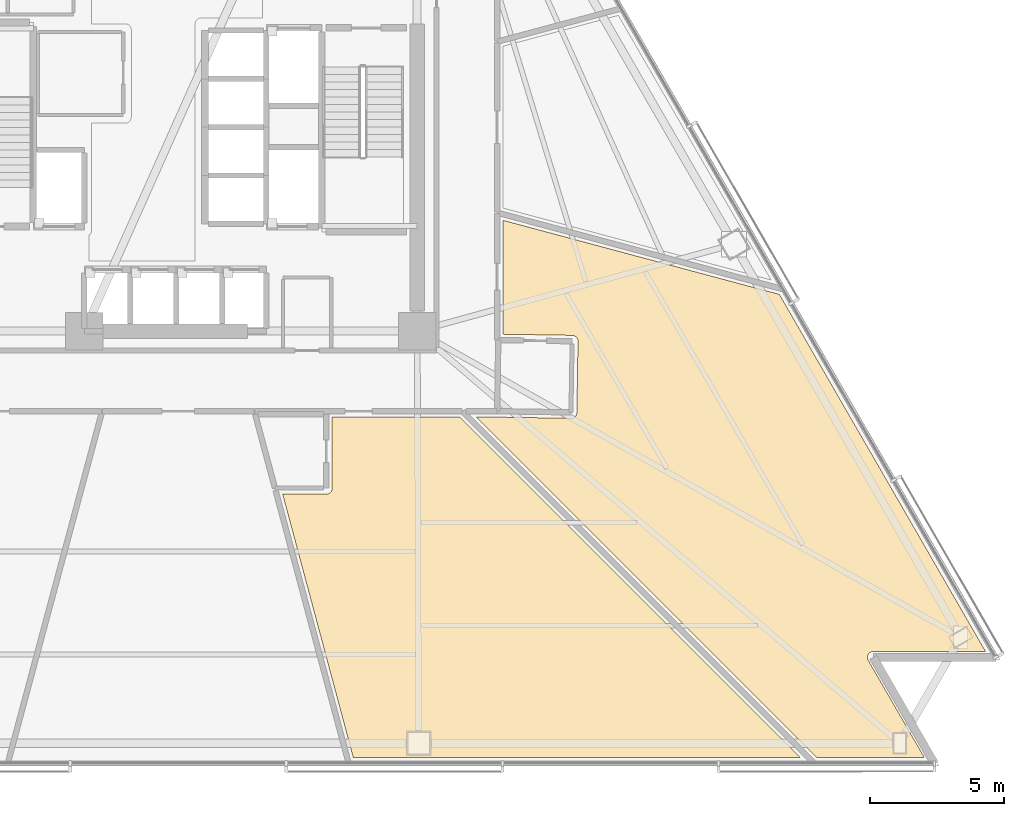
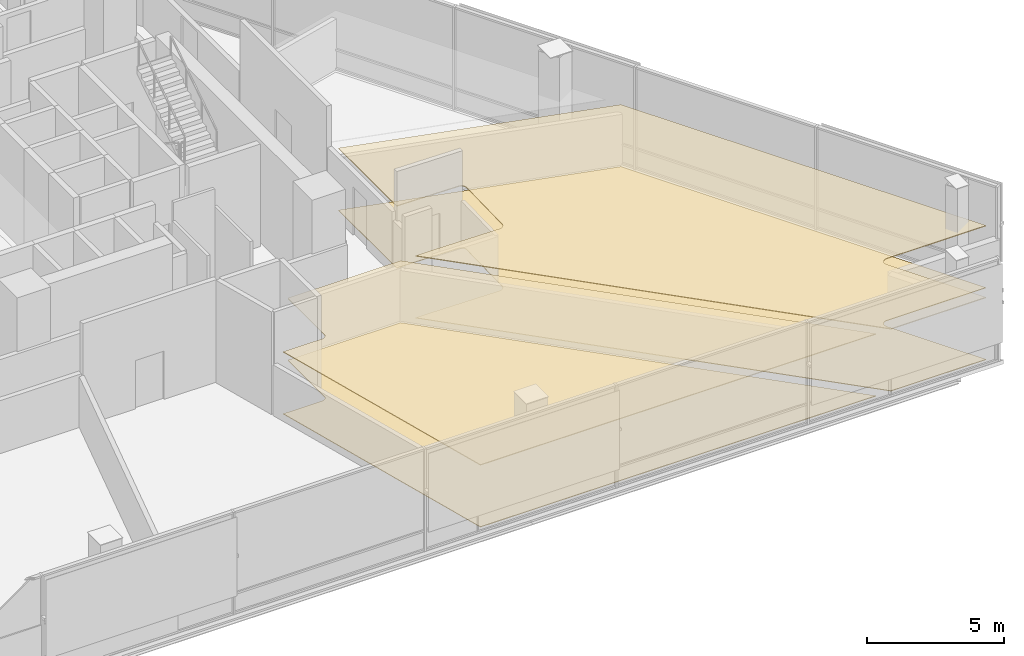
# One storey, part 15 of 17: 4 coverings.
"""IFC4 building model written with IfcOpenShell, lengths in metres."""

from ifc_helpers import new_model, si_unit, direction, frame, origin, place, context, subcontext, project, spatial, polyline, outline, extrude, material, layer, layer_set, type_object, element, save


model = new_model("IFC4")

# Units and contexts
model_context = context("Model", 3, precision=1e-05, world=origin(), true_north=direction((0.0, 1.0)))
body_context = subcontext(model_context, "Body", "Model", "MODEL_VIEW")
ifc_project = project(units=[si_unit("LENGTHUNIT", "METRE"), si_unit("AREAUNIT", "SQUARE_METRE"), si_unit("VOLUMEUNIT", "CUBIC_METRE"), si_unit("PLANEANGLEUNIT", "RADIAN"), si_unit("MASSUNIT", "GRAM", prefix="KILO")], contexts=[model_context])

# Site, building, storey
site_placement = place(None, origin())
site = spatial("IfcSite", under=ifc_project, at=site_placement, CompositionType="ELEMENT")
building_placement = place(site_placement, origin())
building = spatial("IfcBuilding", under=site, at=building_placement, Name="Tharavind Bronze Gate", CompositionType="ELEMENT")
storey_placement = place(building_placement, frame((0.0, 0.0, 52.25)))
storey = spatial("IfcBuildingStorey", under=building, at=storey_placement, Name="L12", CompositionType="ELEMENT", Elevation=52.25)

# Coverings
ifc_material_1 = material(Name="Engineered Oak & Carpet Tile", Category="wood")
ifc_layer_1 = layer(ifc_material_1, 0.02490234375)
ifc_layer_set_1 = layer_set([ifc_layer_1], Name="Engineered Oak & Carpet Tile")
covering_type_1 = type_object("IfcCoveringType", Name="ENGINEERED TIMBER FLOORING", PredefinedType="FLOORING", material=ifc_layer_set_1)
covering_1_placement = place(storey_placement, origin())
element("IfcCovering", 1, at=covering_1_placement, inside=storey, type_object=covering_type_1, Name="L12-RM-10 floor finish", PredefinedType="FLOORING", context=body_context, shape_type="SweptSolid", body=[
    extrude(outline(polyline([(5.737060546875, -13.449951171875), (5.736083984375, -13.4716796875), (5.73291015625, -13.492919921875), (5.7275390625, -13.513916015625), (5.72021484375, -13.5341796875), (5.711181640625, -13.5537109375), (5.699951171875, -13.572265625), (5.68701171875, -13.589599609375), (5.672607421875, -13.605712890625), (5.656494140625, -13.6201171875), (5.639404296875, -13.6328125), (5.620849609375, -13.64404296875), (5.601318359375, -13.6533203125), (5.580810546875, -13.660400390625), (5.56005859375, -13.665771484375), (5.53857421875, -13.6689453125), (5.51708984375, -13.669921875), (3.890625, -13.669921875), (6.519287109375, -23.47998046875), (23.1689453125, -23.47998046875), (10.489013671875, -10.800048828125), (5.737060546875, -10.800048828125), (5.737060546875, -13.449951171875)])), origin(), (0.0, 0.0, 1.0), 0.02490234375),
])
covering_2_placement = place(storey_placement, origin())
element("IfcCovering", 2, at=covering_2_placement, inside=storey, type_object=covering_type_1, Name="L12-RM-11 floor finish", PredefinedType="FLOORING", context=body_context, shape_type="SweptSolid", body=[
    extrude(outline(polyline([(23.791015625, -23.47998046875), (27.794677734375, -23.47998046875), (25.70556640625, -19.861328125), (25.7001953125, -19.851806640625), (25.7001953125, -19.851318359375), (25.691162109375, -19.831298828125), (25.68408203125, -19.810546875), (25.67919921875, -19.7890625), (25.676513671875, -19.767333984375), (25.67578125, -19.745361328125), (25.677490234375, -19.7236328125), (25.681396484375, -19.701904296875), (25.687255859375, -19.680908203125), (25.6953125, -19.660400390625), (25.705322265625, -19.640869140625), (25.71728515625, -19.62255859375), (25.73095703125, -19.60546875), (25.74609375, -19.589599609375), (25.762939453125, -19.57568359375), (25.781005859375, -19.563232421875), (25.80029296875, -19.552734375), (25.820556640625, -19.544189453125), (25.841552734375, -19.53759765625), (25.863037109375, -19.533447265625), (25.885009765625, -19.53125), (25.885498046875, -19.53125), (25.896484375, -19.531005859375), (30.07470703125, -19.531005859375), (22.39453125, -6.228271484375), (12.10009765625, -3.469970703125), (12.10009765625, -7.713134765625), (14.676513671875, -7.755126953125), (14.697998046875, -7.756591796875), (14.71923828125, -7.760009765625), (14.739990234375, -7.765625), (14.76025390625, -7.773193359375), (14.779541015625, -7.78271484375), (14.798095703125, -7.794189453125), (14.815185546875, -7.807373046875), (14.830810546875, -7.822021484375), (14.84521484375, -7.83837890625), (14.857666015625, -7.85595703125), (14.868408203125, -7.87451171875), (14.87744140625, -7.894287109375), (14.88427734375, -7.914794921875), (14.88916015625, -7.935791015625), (14.89208984375, -7.95703125), (14.892822265625, -7.978759765625), (14.849609375, -10.62841796875), (14.84814453125, -10.64990234375), (14.8447265625, -10.671142578125), (14.839111328125, -10.692138671875), (14.83154296875, -10.71240234375), (14.822021484375, -10.731689453125), (14.810546875, -10.75), (14.79736328125, -10.76708984375), (14.78271484375, -10.782958984375), (14.766357421875, -10.797119140625), (14.748779296875, -10.809814453125), (14.72998046875, -10.820556640625), (14.71044921875, -10.829345703125), (14.68994140625, -10.836181640625), (14.6689453125, -10.84130859375), (14.647705078125, -10.843994140625), (14.6259765625, -10.8447265625), (11.877685546875, -10.800048828125), (11.111083984375, -10.800048828125), (23.791015625, -23.47998046875)])), origin(), (0.0, 0.0, 1.0), 0.02490234375),
])
ifc_material_2 = material(Name="Acoustic Gypsum Board", Category="gypsum")
ifc_layer_2 = layer(ifc_material_2, 0.030029296875)
ifc_layer_set_2 = layer_set([ifc_layer_2], Name="Acoustic Gypsum Board")
covering_type_2 = type_object("IfcCoveringType", Name="GYPSUM SUSPENDED CEILING", PredefinedType="CEILING", material=ifc_layer_set_2)
covering_3_placement = place(storey_placement, frame((0.0, 0.0, 2.75)))
element("IfcCovering", 3, at=covering_3_placement, inside=storey, type_object=covering_type_2, Name="L12-RM-10 suspended ceiling", PredefinedType="CEILING", context=body_context, shape_type="SweptSolid", body=[
    extrude(outline(polyline([(5.737060546875, -13.449951171875), (5.736083984375, -13.4716796875), (5.73291015625, -13.492919921875), (5.7275390625, -13.513916015625), (5.72021484375, -13.5341796875), (5.711181640625, -13.5537109375), (5.699951171875, -13.572265625), (5.68701171875, -13.589599609375), (5.672607421875, -13.605712890625), (5.656494140625, -13.6201171875), (5.639404296875, -13.6328125), (5.620849609375, -13.64404296875), (5.601318359375, -13.6533203125), (5.580810546875, -13.660400390625), (5.56005859375, -13.665771484375), (5.53857421875, -13.6689453125), (5.51708984375, -13.669921875), (3.890625, -13.669921875), (6.519287109375, -23.47998046875), (23.1689453125, -23.47998046875), (10.489013671875, -10.800048828125), (5.737060546875, -10.800048828125), (5.737060546875, -13.449951171875)])), origin(), (0.0, 0.0, 1.0), 0.034912109375),
])
covering_4_placement = place(storey_placement, frame((0.0, 0.0, 2.75)))
element("IfcCovering", 4, at=covering_4_placement, inside=storey, type_object=covering_type_2, Name="L12-RM-11 suspended ceiling", PredefinedType="CEILING", context=body_context, shape_type="SweptSolid", body=[
    extrude(outline(polyline([(23.791015625, -23.47998046875), (27.794677734375, -23.47998046875), (25.70556640625, -19.861328125), (25.7001953125, -19.851806640625), (25.7001953125, -19.851318359375), (25.691162109375, -19.831298828125), (25.68408203125, -19.810546875), (25.67919921875, -19.7890625), (25.676513671875, -19.767333984375), (25.67578125, -19.745361328125), (25.677490234375, -19.7236328125), (25.681396484375, -19.701904296875), (25.687255859375, -19.680908203125), (25.6953125, -19.660400390625), (25.705322265625, -19.640869140625), (25.71728515625, -19.62255859375), (25.73095703125, -19.60546875), (25.74609375, -19.589599609375), (25.762939453125, -19.57568359375), (25.781005859375, -19.563232421875), (25.80029296875, -19.552734375), (25.820556640625, -19.544189453125), (25.841552734375, -19.53759765625), (25.863037109375, -19.533447265625), (25.885009765625, -19.53125), (25.885498046875, -19.53125), (25.896484375, -19.531005859375), (30.07470703125, -19.531005859375), (22.39453125, -6.228271484375), (12.10009765625, -3.469970703125), (12.10009765625, -7.713134765625), (14.676513671875, -7.755126953125), (14.697998046875, -7.756591796875), (14.71923828125, -7.760009765625), (14.739990234375, -7.765625), (14.76025390625, -7.773193359375), (14.779541015625, -7.78271484375), (14.798095703125, -7.794189453125), (14.815185546875, -7.807373046875), (14.830810546875, -7.822021484375), (14.84521484375, -7.83837890625), (14.857666015625, -7.85595703125), (14.868408203125, -7.87451171875), (14.87744140625, -7.894287109375), (14.88427734375, -7.914794921875), (14.88916015625, -7.935791015625), (14.89208984375, -7.95703125), (14.892822265625, -7.978759765625), (14.849609375, -10.62841796875), (14.84814453125, -10.64990234375), (14.8447265625, -10.671142578125), (14.839111328125, -10.692138671875), (14.83154296875, -10.71240234375), (14.822021484375, -10.731689453125), (14.810546875, -10.75), (14.79736328125, -10.76708984375), (14.78271484375, -10.782958984375), (14.766357421875, -10.797119140625), (14.748779296875, -10.809814453125), (14.72998046875, -10.820556640625), (14.71044921875, -10.829345703125), (14.68994140625, -10.836181640625), (14.6689453125, -10.84130859375), (14.647705078125, -10.843994140625), (14.6259765625, -10.8447265625), (11.877685546875, -10.800048828125), (11.111083984375, -10.800048828125), (23.791015625, -23.47998046875)])), origin(), (0.0, 0.0, 1.0), 0.034912109375),
])

save(model, "model.ifc")
